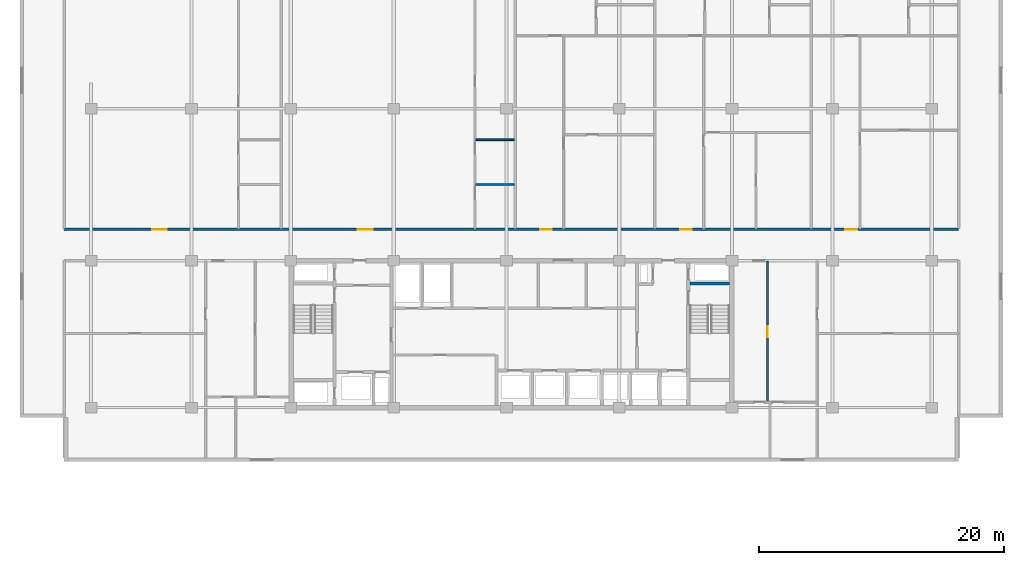
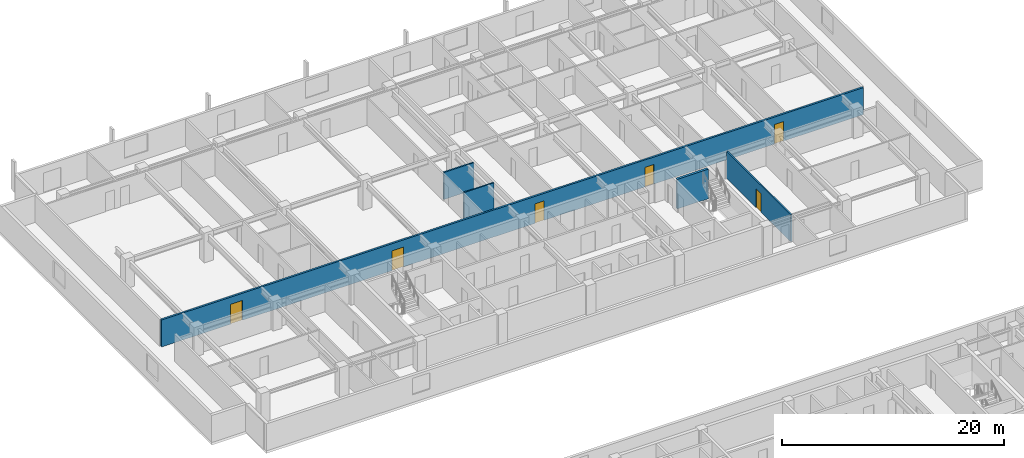
# One storey, part 12 of 21: 6 doors, 5 walls, 6 openings.
"""IFC4 building model written with IfcOpenShell, lengths in metres."""

from ifc_helpers import new_model, si_unit, direction, frame, frame_2d, origin, place, context, subcontext, project, spatial, rectangle, extrude, material, layer, layer_set, type_object, element, fill, save


model = new_model("IFC4")

# Units and contexts
model_context = context("Model", 3, precision=1e-05, world=origin(), true_north=direction((0.0, 1.0)))
body_context = subcontext(model_context, "Body", "Model", "MODEL_VIEW")
ifc_project = project(units=[si_unit("LENGTHUNIT", "METRE"), si_unit("AREAUNIT", "SQUARE_METRE"), si_unit("VOLUMEUNIT", "CUBIC_METRE"), si_unit("PLANEANGLEUNIT", "RADIAN"), si_unit("MASSUNIT", "GRAM", prefix="KILO")], contexts=[model_context])

# Site, building, storey
site_placement = place(None, origin())
site = spatial("IfcSite", under=ifc_project, at=site_placement, CompositionType="ELEMENT")
building_placement = place(site_placement, origin())
building = spatial("IfcBuilding", under=site, at=building_placement, Name="Korimba Cascade Residences", CompositionType="ELEMENT")
storey_placement = place(building_placement, frame((0.0, 0.0, 106.800048828125)))
storey = spatial("IfcBuildingStorey", under=building, at=storey_placement, Name="L30", CompositionType="ELEMENT", Elevation=106.800048828125)

# Wall, openings, doors
ifc_material_1 = material(Name="Precast concrete C40/50", Category="concrete")
ifc_layer_1 = layer(ifc_material_1, 0.199951171875)
ifc_layer_set_1 = layer_set([ifc_layer_1], Name="Precast concrete C40/50")
wall_type_1 = type_object("IfcWallType", Name="WAL-IT-200", PredefinedType="PARTITIONING", material=ifc_layer_set_1)
wall_1_placement = place(storey_placement, frame((57.60009765625, 69.75, 0.0), z_axis=(0.0, 0.0, 1.0), x_axis=(1.0, 0.0, 0.0)))
wall_1 = element("IfcWall", 1, at=wall_1_placement, inside=storey, type_object=wall_type_1, Name="L30 Partition Wall WAL-L30-T1-CORN", PredefinedType="PARTITIONING", context=body_context, shape_type="SweptSolid", body=[
    extrude(rectangle(XDim=73.0, YDim=0.199951171875, at=frame_2d((36.5, 0.0))), origin(), (0.0, 0.0, 1.0), 2.969970703125),
])
opening_1_placement = place(wall_1_placement, frame((7.17236328125, 0.0, 0.0)))
opening_1 = element("IfcOpeningElement", 2, at=opening_1_placement, cuts=wall_1, Name="Opening D-AM1", PredefinedType="OPENING", context=body_context, shape_type="SweptSolid", body=[
    extrude(rectangle(XDim=1.219970703125, YDim=2.179931640625, at=frame_2d((0.60986328125, 1.08984375))), frame((0.0, 0.10986328125, 0.0), z_axis=(0.0, -1.0, 0.0), x_axis=(1.0, 0.0, 0.0)), (0.0, 0.0, 1.0), 0.219970703125),
])
opening_2_placement = place(wall_1_placement, frame((23.96044921875, 0.0, 0.0)))
opening_2 = element("IfcOpeningElement", 3, at=opening_2_placement, cuts=wall_1, Name="Opening D-AM1", PredefinedType="OPENING", context=body_context, shape_type="SweptSolid", body=[
    extrude(rectangle(XDim=1.219970703125, YDim=2.179931640625, at=frame_2d((0.60986328125, 1.08984375))), frame((0.0, 0.10986328125, 0.0), z_axis=(0.0, -1.0, 0.0), x_axis=(1.0, 0.0, 0.0)), (0.0, 0.0, 1.0), 0.219970703125),
])
opening_3_placement = place(wall_1_placement, frame((38.845703125, 0.0, 0.0)))
opening_3 = element("IfcOpeningElement", 4, at=opening_3_placement, cuts=wall_1, Name="Opening D-UN1", PredefinedType="OPENING", context=body_context, shape_type="SweptSolid", body=[
    extrude(rectangle(XDim=0.949951171875, YDim=2.14990234375, at=frame_2d((0.47509765625, 1.074951171875))), frame((0.0, 0.10986328125, 0.0), z_axis=(0.0, -1.0, 0.0), x_axis=(1.0, 0.0, 0.0)), (0.0, 0.0, 1.0), 0.219970703125),
])
opening_4_placement = place(wall_1_placement, frame((50.26171875, 0.0, 0.0)))
opening_4 = element("IfcOpeningElement", 5, at=opening_4_placement, cuts=wall_1, Name="Opening D-UN1", PredefinedType="OPENING", context=body_context, shape_type="SweptSolid", body=[
    extrude(rectangle(XDim=0.949951171875, YDim=2.14990234375, at=frame_2d((0.47509765625, 1.074951171875))), frame((0.0, 0.10986328125, 0.0), z_axis=(0.0, -1.0, 0.0), x_axis=(1.0, 0.0, 0.0)), (0.0, 0.0, 1.0), 0.219970703125),
])
opening_5_placement = place(wall_1_placement, frame((63.75390625, 0.0, 0.0)))
opening_5 = element("IfcOpeningElement", 6, at=opening_5_placement, cuts=wall_1, Name="Opening D-UN1", PredefinedType="OPENING", context=body_context, shape_type="SweptSolid", body=[
    extrude(rectangle(XDim=0.949951171875, YDim=2.14990234375, at=frame_2d((0.47509765625, 1.074951171875))), frame((0.0, 0.10986328125, 0.0), z_axis=(0.0, -1.0, 0.0), x_axis=(1.0, 0.0, 0.0)), (0.0, 0.0, 1.0), 0.219970703125),
])
ifc_material_2 = material(Name="Fire-Rated Glazed Timber Suite Door", Category="wood")
door_type_1 = type_object("IfcDoorType", Name="DR-FD60-1200", OperationType="NOTDEFINED", PredefinedType="DOOR", material=ifc_material_2)
door_1_placement = place(opening_1_placement, origin())
door_1 = element("IfcDoor", 7, at=door_1_placement, inside=storey, type_object=door_type_1, Name="L30-T1-U01 Executive Co-Working Office Door", OperationType="SINGLE_SWING_RIGHT", OverallHeight=2.179931640625, OverallWidth=1.219970703125, PredefinedType="DOOR", context=body_context, shape_type="SweptSolid", body=[
    extrude(rectangle(XDim=1.219970703125, YDim=2.179931640625, at=frame_2d((0.60986328125, 1.08984375))), frame((0.0, 0.02490234375, 0.0), z_axis=(0.0, -1.0, 0.0), x_axis=(1.0, 0.0, 0.0)), (0.0, 0.0, 1.0), 0.050048828125),
])
fill(opening_1, door_1)
door_2_placement = place(opening_2_placement, origin())
door_2 = element("IfcDoor", 8, at=door_2_placement, inside=storey, type_object=door_type_1, Name="L30-T1-U02 Executive Co-Working Office Door", OperationType="SINGLE_SWING_LEFT", OverallHeight=2.179931640625, OverallWidth=1.219970703125, PredefinedType="DOOR", context=body_context, shape_type="SweptSolid", body=[
    extrude(rectangle(XDim=1.219970703125, YDim=2.179931640625, at=frame_2d((0.60986328125, 1.08984375))), frame((0.0, 0.02490234375, 0.0), z_axis=(0.0, -1.0, 0.0), x_axis=(1.0, 0.0, 0.0)), (0.0, 0.0, 1.0), 0.050048828125),
])
fill(opening_2, door_2)
ifc_material_3 = material(Name="Fire-Rated Hardwood Apartment Entrance Door", Category="wood")
door_type_2 = type_object("IfcDoorType", Name="DR-FD60-950", OperationType="NOTDEFINED", PredefinedType="DOOR", material=ifc_material_3)
door_3_placement = place(opening_3_placement, origin())
door_3 = element("IfcDoor", 9, at=door_3_placement, inside=storey, type_object=door_type_2, Name="Unit L30-T1-U03 Entrance Door", OperationType="SINGLE_SWING_RIGHT", OverallHeight=2.14990234375, OverallWidth=0.949951171875, PredefinedType="DOOR", context=body_context, shape_type="SweptSolid", body=[
    extrude(rectangle(XDim=0.949951171875, YDim=2.14990234375, at=frame_2d((0.47509765625, 1.074951171875))), frame((0.0, 0.02490234375, 0.0), z_axis=(0.0, -1.0, 0.0), x_axis=(1.0, 0.0, 0.0)), (0.0, 0.0, 1.0), 0.050048828125),
])
fill(opening_3, door_3)
door_4_placement = place(opening_4_placement, origin())
door_4 = element("IfcDoor", 10, at=door_4_placement, inside=storey, type_object=door_type_2, Name="Unit L30-T1-U04 Entrance Door", OperationType="SINGLE_SWING_LEFT", OverallHeight=2.14990234375, OverallWidth=0.949951171875, PredefinedType="DOOR", context=body_context, shape_type="SweptSolid", body=[
    extrude(rectangle(XDim=0.949951171875, YDim=2.14990234375, at=frame_2d((0.47509765625, 1.074951171875))), frame((0.0, 0.02490234375, 0.0), z_axis=(0.0, -1.0, 0.0), x_axis=(1.0, 0.0, 0.0)), (0.0, 0.0, 1.0), 0.050048828125),
])
fill(opening_4, door_4)
door_5_placement = place(opening_5_placement, origin())
door_5 = element("IfcDoor", 11, at=door_5_placement, inside=storey, type_object=door_type_2, Name="Unit L30-T1-U05 Entrance Door", OperationType="SINGLE_SWING_RIGHT", OverallHeight=2.14990234375, OverallWidth=0.949951171875, PredefinedType="DOOR", context=body_context, shape_type="SweptSolid", body=[
    extrude(rectangle(XDim=0.949951171875, YDim=2.14990234375, at=frame_2d((0.47509765625, 1.074951171875))), frame((0.0, 0.02490234375, 0.0), z_axis=(0.0, -1.0, 0.0), x_axis=(1.0, 0.0, 0.0)), (0.0, 0.0, 1.0), 0.050048828125),
])
fill(opening_5, door_5)

# Wall, opening, door
ifc_material_4 = material(Name="Insulated Acoustic Stud Partition", Category="gypsum")
ifc_layer_2 = layer(ifc_material_4, 0.14990234375)
ifc_layer_set_2 = layer_set([ifc_layer_2], Name="Insulated Acoustic Stud Partition")
wall_type_2 = type_object("IfcWallType", Name="WAL-PART-150", PredefinedType="PARTITIONING", material=ifc_layer_set_2)
wall_2_placement = place(storey_placement, frame((115.0, 55.64990234375, 0.0), z_axis=(0.0, 0.0, 1.0), x_axis=(0.0, 1.0, 0.0)))
wall_2 = element("IfcWall", 12, at=wall_2_placement, inside=storey, type_object=wall_type_2, Name="L30 Partition Wall WAL-L30-T1-FE-VN", PredefinedType="PARTITIONING", context=body_context, shape_type="SweptSolid", body=[
    extrude(rectangle(XDim=11.5, YDim=0.14990234375, at=frame_2d((5.75, 0.0))), origin(), (0.0, 0.0, 1.0), 2.969970703125),
])
opening_6_placement = place(wall_2_placement, frame((5.2900390625, 0.0, 0.0)))
opening_6 = element("IfcOpeningElement", 13, at=opening_6_placement, cuts=wall_2, Name="Opening D-IN1", PredefinedType="OPENING", context=body_context, shape_type="SweptSolid", body=[
    extrude(rectangle(XDim=0.919921875, YDim=2.080078125, at=frame_2d((0.4599609375, 1.0400390625))), frame((0.0, 0.0849609375, 0.0), z_axis=(0.0, -1.0, 0.0), x_axis=(1.0, 0.0, 0.0)), (0.0, 0.0, 1.0), 0.169921875),
])
ifc_material_5 = material(Name="Acoustic Timber Living Door", Category="wood")
door_type_3 = type_object("IfcDoorType", Name="DR-INT-920", OperationType="NOTDEFINED", PredefinedType="DOOR", material=ifc_material_5)
door_6_placement = place(opening_6_placement, origin())
door_6 = element("IfcDoor", 14, at=door_6_placement, inside=storey, type_object=door_type_3, Name="L30-T1-FE Living Door", OperationType="SINGLE_SWING_LEFT", OverallHeight=2.080078125, OverallWidth=0.919921875, PredefinedType="DOOR", context=body_context, shape_type="SweptSolid", body=[
    extrude(rectangle(XDim=0.919921875, YDim=2.080078125, at=frame_2d((0.4599609375, 1.0400390625))), frame((0.0, 0.02490234375, 0.0), z_axis=(0.0, -1.0, 0.0), x_axis=(1.0, 0.0, 0.0)), (0.0, 0.0, 1.0), 0.050048828125),
])
fill(opening_6, door_6)

# Walls
for number, where, z_axis, x_axis, name in (
    (15, (91.190673828125, 73.419921875, 0.0), (0.0, 0.0, 1.0), (1.0, 0.0, 0.0), "L30 Partition Wall WAL-L30-T1-U02-WCH"),
    (16, (91.190673828125, 77.070068359375, 0.0), (0.0, 0.0, 1.0), (1.0, 0.0, 0.0), "L30 Partition Wall WAL-L30-T1-U02-WCH2"),
):
    element("IfcWall", number, at=place(storey_placement, frame(where, z_axis=z_axis, x_axis=x_axis)), inside=storey, type_object=wall_type_2, Name=name, PredefinedType="PARTITIONING", context=body_context, shape_type="SweptSolid", body=[
        extrude(rectangle(XDim=3.1298828125, YDim=0.14990234375, at=frame_2d((1.56494140625, 0.0))), origin(), (0.0, 0.0, 1.0), 2.969970703125),
    ])
ifc_material_6 = material(Name="Concrete C50/60", Category="concrete")
ifc_layer_3 = layer(ifc_material_6, 0.25)
ifc_layer_set_3 = layer_set([ifc_layer_3], Name="Concrete C50/60")
wall_type_3 = type_object("IfcWallType", Name="WAL-SHAFT-250", PredefinedType="SHEAR", material=ifc_layer_set_3)
wall_3_placement = place(storey_placement, frame((108.659912109375, 65.324951171875, 0.0), z_axis=(0.0, 0.0, 1.0), x_axis=(1.0, 0.0, 0.0)))
element("IfcWall", 17, at=wall_3_placement, inside=storey, type_object=wall_type_3, Name="L30 Core Shear Wall CW-L30-T1-STW2N", PredefinedType="SHEAR", context=body_context, shape_type="SweptSolid", body=[
    extrude(rectangle(XDim=3.239990234375, YDim=0.25, at=frame_2d((1.6201171875, 0.0))), origin(), (0.0, 0.0, 1.0), 3.25),
])

save(model, "model.ifc")
